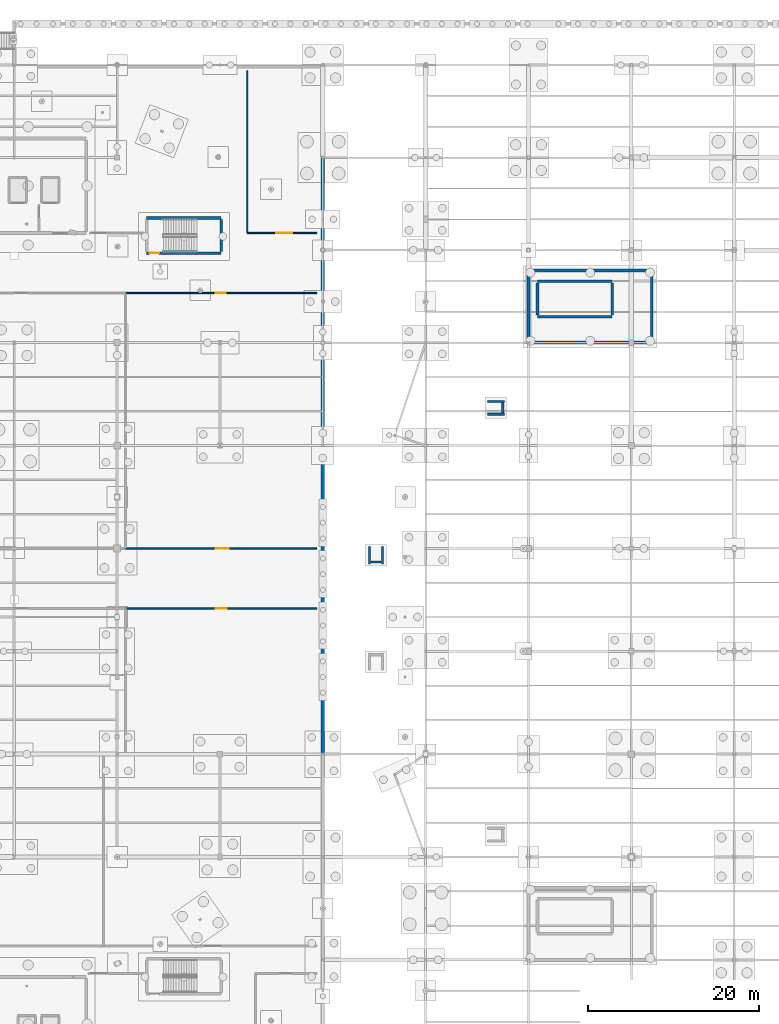
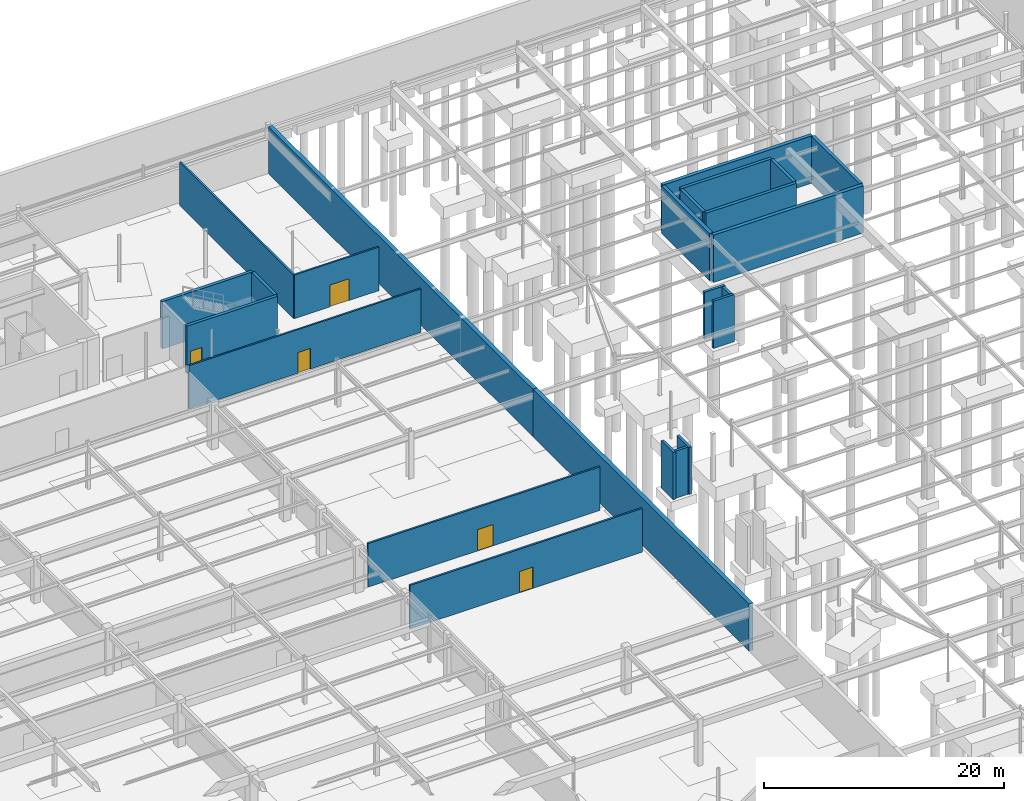
# One storey, part 125 of 136: 24 walls, 5 doors, 5 openings.
"""IFC4 building model written with IfcOpenShell, lengths in metres."""

from ifc_helpers import new_model, si_unit, direction, frame, frame_2d, origin, place, context, subcontext, project, spatial, rectangle, extrude, material, layer, layer_set, type_object, element, fill, save


model = new_model("IFC4")

# Units and contexts
model_context = context("Model", 3, precision=1e-05, world=origin(), true_north=direction((0.0, 1.0)))
body_context = subcontext(model_context, "Body", "Model", "MODEL_VIEW")
ifc_project = project(units=[si_unit("LENGTHUNIT", "METRE"), si_unit("AREAUNIT", "SQUARE_METRE"), si_unit("VOLUMEUNIT", "CUBIC_METRE"), si_unit("PLANEANGLEUNIT", "RADIAN"), si_unit("MASSUNIT", "GRAM", prefix="KILO")], contexts=[model_context])

# Site, building, storey
site_placement = place(None, origin())
site = spatial("IfcSite", under=ifc_project, at=site_placement, CompositionType="ELEMENT")
building_placement = place(site_placement, origin())
building = spatial("IfcBuilding", under=site, at=building_placement, Name="Tarnwether General Hospital", CompositionType="ELEMENT")
storey_placement = place(building_placement, frame((0.0, 0.0, -4.800048828125)))
storey = spatial("IfcBuildingStorey", under=building, at=storey_placement, Name="LG", CompositionType="ELEMENT", Elevation=-4.800048828125)

# Wall, opening, door
ifc_material_1 = material(Name="Gypsum plasterboard")
ifc_layer_1 = layer(ifc_material_1, 0.159912109375)
ifc_layer_set_1 = layer_set([ifc_layer_1], Name="Gypsum plasterboard")
wall_type_1 = type_object("IfcWallType", Name="WL-PT160", PredefinedType="PARTITIONING", material=ifc_layer_set_1)
wall_1_placement = place(storey_placement, frame((108.986083984375, 99.39990234375, 0.0), z_axis=(0.0, 0.0, 1.0), x_axis=(1.0, 0.0, 0.0)))
wall_1 = element("IfcWall", 1, at=wall_1_placement, inside=storey, type_object=wall_type_1, Name="Interior Partition PT-LG-0047", PredefinedType="PARTITIONING", context=body_context, shape_type="SweptSolid", body=[
    extrude(rectangle(XDim=22.31396484375, YDim=0.159912109375, at=frame_2d((11.156982421875, 0.0))), origin(), (0.0, 0.0, 1.0), 4.429931640625),
])
opening_1_placement = place(wall_1_placement, frame((10.507080078125, 0.0, 0.0)))
opening_1 = element("IfcOpeningElement", 2, at=opening_1_placement, cuts=wall_1, Name="Opening D-06", PredefinedType="OPENING", context=body_context, shape_type="SweptSolid", body=[
    extrude(rectangle(XDim=1.159912109375, YDim=2.10009765625, at=frame_2d((0.580078125, 1.050048828125))), frame((0.0, 0.08984375, 0.0), z_axis=(0.0, -1.0, 0.0), x_axis=(1.0, 0.0, 0.0)), (0.0, 0.0, 1.0), 0.179931640625),
])
ifc_material_2 = material(Name="Anodised aluminium", Category="aluminium")
door_type_1 = type_object("IfcDoorType", Name="DR-IN06", OperationType="NOTDEFINED", PredefinedType="DOOR", material=ifc_material_2)
door_1_placement = place(opening_1_placement, origin())
door_1 = element("IfcDoor", 3, at=door_1_placement, inside=storey, type_object=door_type_1, Name="Interior Door DR-LG-0027", OperationType="SINGLE_SWING_LEFT", OverallHeight=2.10009765625, OverallWidth=1.159912109375, PredefinedType="DOOR", context=body_context, shape_type="SweptSolid", body=[
    extrude(rectangle(XDim=1.159912109375, YDim=2.10009765625, at=frame_2d((0.580078125, 1.050048828125))), frame((0.0, 0.02490234375, 0.0), z_axis=(0.0, -1.0, 0.0), x_axis=(1.0, 0.0, 0.0)), (0.0, 0.0, 1.0), 0.050048828125),
])
fill(opening_1, door_1)

# Wall
wall_2_placement = place(storey_placement, frame((123.18603515625, 106.39990234375, 0.0), z_axis=(0.0, 0.0, 1.0), x_axis=(0.0, 1.0, 0.0)))
element("IfcWall", 4, at=wall_2_placement, inside=storey, type_object=wall_type_1, Name="Interior Partition PT-LG-0051", PredefinedType="PARTITIONING", context=body_context, shape_type="SweptSolid", body=[
    extrude(rectangle(XDim=18.900146484375, YDim=0.159912109375, at=frame_2d((9.4501953125, 0.0))), origin(), (0.0, 0.0, 1.0), 4.429931640625),
])

# Wall, opening, door
wall_3_placement = place(storey_placement, frame((123.18603515625, 106.39990234375, 0.0), z_axis=(0.0, 0.0, 1.0), x_axis=(1.0, 0.0, 0.0)))
wall_3 = element("IfcWall", 5, at=wall_3_placement, inside=storey, type_object=wall_type_1, Name="Interior Partition PT-LG-0052", PredefinedType="PARTITIONING", context=body_context, shape_type="SweptSolid", body=[
    extrude(rectangle(XDim=8.114013671875, YDim=0.159912109375, at=frame_2d((4.05712890625, 0.0))), origin(), (0.0, 0.0, 1.0), 4.429931640625),
])
opening_2_placement = place(wall_3_placement, frame((3.406982421875, 0.0, 0.0)))
opening_2 = element("IfcOpeningElement", 6, at=opening_2_placement, cuts=wall_3, Name="Opening FD-03", PredefinedType="OPENING", context=body_context, shape_type="SweptSolid", body=[
    extrude(rectangle(XDim=1.840087890625, YDim=2.219970703125, at=frame_2d((0.919921875, 1.10986328125))), frame((0.0, 0.08984375, 0.0), z_axis=(0.0, -1.0, 0.0), x_axis=(1.0, 0.0, 0.0)), (0.0, 0.0, 1.0), 0.179931640625),
])
ifc_material_3 = material(Name="Anodised aluminium", Category="aluminium")
door_type_2 = type_object("IfcDoorType", Name="DR-FD03", OperationType="NOTDEFINED", PredefinedType="DOOR", material=ifc_material_3)
door_2_placement = place(opening_2_placement, origin())
door_2 = element("IfcDoor", 7, at=door_2_placement, inside=storey, type_object=door_type_2, Name="Interior Door DR-LG-0030", OperationType="DOUBLE_DOOR_SINGLE_SWING", OverallHeight=2.219970703125, OverallWidth=1.840087890625, PredefinedType="DOOR", context=body_context, shape_type="SweptSolid", body=[
    extrude(rectangle(XDim=1.840087890625, YDim=2.219970703125, at=frame_2d((0.919921875, 1.10986328125))), frame((0.0, 0.02490234375, 0.0), z_axis=(0.0, -1.0, 0.0), x_axis=(1.0, 0.0, 0.0)), (0.0, 0.0, 1.0), 0.050048828125),
])
fill(opening_2, door_2)

ifc_material_4 = material(Name="Gypsum plasterboard")
ifc_layer_2 = layer(ifc_material_4, 0.179931640625)
ifc_layer_set_2 = layer_set([ifc_layer_2], Name="Gypsum plasterboard")
wall_type_2 = type_object("IfcWallType", Name="WL-PT180", PredefinedType="PARTITIONING", material=ifc_layer_set_2)
wall_4_placement = place(storey_placement, frame((108.986083984375, 62.60009765625, 0.0), z_axis=(0.0, 0.0, 1.0), x_axis=(1.0, 0.0, 0.0)))
wall_4 = element("IfcWall", 8, at=wall_4_placement, inside=storey, type_object=wall_type_2, Name="Interior Partition PT-LG-0025", PredefinedType="PARTITIONING", context=body_context, shape_type="SweptSolid", body=[
    extrude(rectangle(XDim=22.31396484375, YDim=0.179931640625, at=frame_2d((11.156982421875, 0.0))), origin(), (0.0, 0.0, 1.0), 4.429931640625),
])
opening_3_placement = place(wall_4_placement, frame((10.507080078125, 0.0, 0.0)))
opening_3 = element("IfcOpeningElement", 9, at=opening_3_placement, cuts=wall_4, Name="Opening D-03", PredefinedType="OPENING", context=body_context, shape_type="SweptSolid", body=[
    extrude(rectangle(XDim=1.300048828125, YDim=2.159912109375, at=frame_2d((0.64990234375, 1.080078125))), frame((0.0, 0.10009765625, 0.0), z_axis=(0.0, -1.0, 0.0), x_axis=(1.0, 0.0, 0.0)), (0.0, 0.0, 1.0), 0.199951171875),
])
ifc_material_5 = material(Name="Anodised aluminium", Category="aluminium")
door_type_3 = type_object("IfcDoorType", Name="DR-IN03", OperationType="NOTDEFINED", PredefinedType="DOOR", material=ifc_material_5)
door_3_placement = place(opening_3_placement, origin())
door_3 = element("IfcDoor", 10, at=door_3_placement, inside=storey, type_object=door_type_3, Name="Interior Door DR-LG-0014", OperationType="SINGLE_SWING_RIGHT", OverallHeight=2.159912109375, OverallWidth=1.300048828125, PredefinedType="DOOR", context=body_context, shape_type="SweptSolid", body=[
    extrude(rectangle(XDim=1.300048828125, YDim=2.159912109375, at=frame_2d((0.64990234375, 1.080078125))), frame((0.0, 0.02490234375, 0.0), z_axis=(0.0, -1.0, 0.0), x_axis=(1.0, 0.0, 0.0)), (0.0, 0.0, 1.0), 0.050048828125),
])
fill(opening_3, door_3)

wall_5_placement = place(storey_placement, frame((108.986083984375, 69.60009765625, 0.0), z_axis=(0.0, 0.0, 1.0), x_axis=(1.0, 0.0, 0.0)))
wall_5 = element("IfcWall", 11, at=wall_5_placement, inside=storey, type_object=wall_type_2, Name="Interior Partition PT-LG-0030", PredefinedType="PARTITIONING", context=body_context, shape_type="SweptSolid", body=[
    extrude(rectangle(XDim=22.31396484375, YDim=0.179931640625, at=frame_2d((11.156982421875, 0.0))), origin(), (0.0, 0.0, 1.0), 4.429931640625),
])
opening_4_placement = place(wall_5_placement, frame((10.507080078125, 0.0, 0.0)))
opening_4 = element("IfcOpeningElement", 12, at=opening_4_placement, cuts=wall_5, Name="Opening FD-02", PredefinedType="OPENING", context=body_context, shape_type="SweptSolid", body=[
    extrude(rectangle(XDim=1.52001953125, YDim=2.159912109375, at=frame_2d((0.760009765625, 1.080078125))), frame((0.0, 0.10009765625, 0.0), z_axis=(0.0, -1.0, 0.0), x_axis=(1.0, 0.0, 0.0)), (0.0, 0.0, 1.0), 0.199951171875),
])
ifc_material_6 = material(Name="Anodised aluminium", Category="aluminium")
door_type_4 = type_object("IfcDoorType", Name="DR-FD02", OperationType="NOTDEFINED", PredefinedType="DOOR", material=ifc_material_6)
door_4_placement = place(opening_4_placement, origin())
door_4 = element("IfcDoor", 13, at=door_4_placement, inside=storey, type_object=door_type_4, Name="Interior Door DR-LG-0017", OperationType="SINGLE_SWING_LEFT", OverallHeight=2.159912109375, OverallWidth=1.52001953125, PredefinedType="DOOR", context=body_context, shape_type="SweptSolid", body=[
    extrude(rectangle(XDim=1.52001953125, YDim=2.159912109375, at=frame_2d((0.760009765625, 1.080078125))), frame((0.0, 0.02490234375, 0.0), z_axis=(0.0, -1.0, 0.0), x_axis=(1.0, 0.0, 0.0)), (0.0, 0.0, 1.0), 0.050048828125),
])
fill(opening_4, door_4)

# Walls
ifc_material_7 = material(Name="Concrete 40 MPa", Category="concrete")
ifc_layer_3 = layer(ifc_material_7, 0.39990234375)
ifc_layer_set_3 = layer_set([ifc_layer_3], Name="Concrete 40 MPa")
wall_type_3 = type_object("IfcWallType", Name="WL-RW400", PredefinedType="USERDEFINED", material=ifc_layer_set_3)
wall_6_placement = place(storey_placement, frame((132.0, 81.60009765625, 0.0), z_axis=(0.0, 0.0, 1.0), x_axis=(0.0, 1.0, 0.0)))
element("IfcWall", 14, at=wall_6_placement, inside=storey, type_object=wall_type_3, Name="Scarp Retaining Wall RW-EAST-N", ObjectType="RETAINING", PredefinedType="USERDEFINED", context=body_context, shape_type="SweptSolid", body=[
    extrude(rectangle(XDim=44.0, YDim=0.39990234375, at=frame_2d((22.0, 0.0))), origin(), (0.0, 0.0, 1.0), 4.800048828125),
])
wall_7_placement = place(storey_placement, frame((132.0, 45.60009765625, 0.0), z_axis=(0.0, 0.0, 1.0), x_axis=(0.0, 1.0, 0.0)))
element("IfcWall", 15, at=wall_7_placement, inside=storey, type_object=wall_type_3, Name="Scarp Retaining Wall RW-EAST-C", ObjectType="RETAINING", PredefinedType="USERDEFINED", context=body_context, shape_type="SweptSolid", body=[
    extrude(rectangle(XDim=36.0, YDim=0.39990234375, at=frame_2d((18.0, 0.0))), origin(), (0.0, 0.0, 1.0), 4.800048828125),
])
ifc_material_8 = material(Name="Concrete 50 MPa", Category="concrete")
ifc_layer_4 = layer(ifc_material_8, 0.25)
ifc_layer_set_4 = layer_set([ifc_layer_4], Name="Concrete 50 MPa")
wall_type_4 = type_object("IfcWallType", Name="WL-SW250", PredefinedType="SHEAR", material=ifc_layer_set_4)
for number, where, z_axis, x_axis, name in (
    (16, (137.449951171875, 69.800048828125, 0.0), (0.0, 0.0, 1.0), (0.0, -1.0, 0.0), "Feature Stair Sub-Scarp Pier Wall ST-12 L"),
    (17, (138.949951171875, 69.800048828125, 0.0), (0.0, 0.0, 1.0), (0.0, -1.0, 0.0), "Feature Stair Sub-Scarp Pier Wall ST-12 R"),
):
    element("IfcWall", number, at=place(storey_placement, frame(where, z_axis=z_axis, x_axis=x_axis)), inside=storey, type_object=wall_type_4, Name=name, PredefinedType="SHEAR", context=body_context, shape_type="SweptSolid", body=[
        extrude(rectangle(XDim=2.0, YDim=0.25, at=frame_2d((1.0, 0.0))), origin(), (0.0, 0.0, 1.0), 4.800048828125),
    ])
wall_8_placement = place(storey_placement, frame((137.60009765625, 68.0, 0.0), z_axis=(0.0, 0.0, 1.0), x_axis=(1.0, 0.0, 0.0)))
element("IfcWall", 18, at=wall_8_placement, inside=storey, type_object=wall_type_4, Name="Feature Stair Sub-Scarp Pier Wall ST-12 M", PredefinedType="SHEAR", context=body_context, shape_type="SweptSolid", body=[
    extrude(rectangle(XDim=1.199951171875, YDim=0.25, at=frame_2d((0.60009765625, 0.0))), origin(), (0.0, 0.0, 1.0), 4.800048828125),
])
for number, where, z_axis, x_axis, name in (
    (19, (151.199951171875, 85.25, 0.0), (0.0, 0.0, 1.0), (1.0, 0.0, 0.0), "Feature Stair Sub-Scarp Pier Wall ST-14 L"),
    (20, (151.199951171875, 86.75, 0.0), (0.0, 0.0, 1.0), (1.0, 0.0, 0.0), "Feature Stair Sub-Scarp Pier Wall ST-14 R"),
):
    element("IfcWall", number, at=place(storey_placement, frame(where, z_axis=z_axis, x_axis=x_axis)), inside=storey, type_object=wall_type_4, Name=name, PredefinedType="SHEAR", context=body_context, shape_type="SweptSolid", body=[
        extrude(rectangle(XDim=2.0, YDim=0.25, at=frame_2d((1.0, 0.0))), origin(), (0.0, 0.0, 1.0), 4.800048828125),
    ])
wall_9_placement = place(storey_placement, frame((153.0, 85.39990234375, 0.0), z_axis=(0.0, 0.0, 1.0), x_axis=(0.0, 1.0, 0.0)))
element("IfcWall", 21, at=wall_9_placement, inside=storey, type_object=wall_type_4, Name="Feature Stair Sub-Scarp Pier Wall ST-14 M", PredefinedType="SHEAR", context=body_context, shape_type="SweptSolid", body=[
    extrude(rectangle(XDim=1.2001953125, YDim=0.25, at=frame_2d((0.60009765625, 0.0))), origin(), (0.0, 0.0, 1.0), 4.800048828125),
])
ifc_material_9 = material(Name="Concrete 50 MPa", Category="concrete")
ifc_layer_5 = layer(ifc_material_9, 0.300048828125)
ifc_layer_set_5 = layer_set([ifc_layer_5], Name="Concrete 50 MPa")
wall_type_5 = type_object("IfcWallType", Name="WL-SW300", PredefinedType="SHEAR", material=ifc_layer_set_5)
wall_10_placement = place(storey_placement, frame((170.39990234375, 101.800048828125, 0.0), z_axis=(0.0, 0.0, 1.0), x_axis=(0.0, -1.0, 0.0)))
element("IfcWall", 22, at=wall_10_placement, inside=storey, type_object=wall_type_5, Name="Core Shear Wall CWALL-K6-LG-E", PredefinedType="SHEAR", context=body_context, shape_type="SweptSolid", body=[
    extrude(rectangle(XDim=8.0, YDim=0.300048828125, at=frame_2d((4.0, 0.0))), origin(), (0.0, 0.0, 1.0), 4.800048828125),
])
for number, where, z_axis, x_axis, name in (
    (23, (157.050048828125, 96.64990234375, 0.0), (0.0, 0.0, 1.0), (1.0, 0.0, 0.0), "Stairwell Shear Wall STW-ST-06-LG-B"),
    (24, (165.75, 100.75, 0.0), (0.0, 0.0, 1.0), (-1.0, 0.0, 0.0), "Stairwell Shear Wall STW-ST-06-LG-N"),
):
    element("IfcWall", number, at=place(storey_placement, frame(where, z_axis=z_axis, x_axis=x_axis)), inside=storey, type_object=wall_type_5, Name=name, PredefinedType="SHEAR", context=body_context, shape_type="SweptSolid", body=[
        extrude(rectangle(XDim=8.699951171875, YDim=0.300048828125, at=frame_2d((4.35009765625, 0.0))), origin(), (0.0, 0.0, 1.0), 4.800048828125),
    ])
for number, where, z_axis, x_axis, name in (
    (25, (157.050048828125, 96.820068359375, 0.0), (0.0, 0.0, 1.0), (0.0, 1.0, 0.0), "Stairwell Shear Wall STW-ST-06-LG-L"),
    (26, (165.75, 96.820068359375, 0.0), (0.0, 0.0, 1.0), (0.0, 1.0, 0.0), "Stairwell Shear Wall STW-ST-06-LG-F"),
):
    element("IfcWall", number, at=place(storey_placement, frame(where, z_axis=z_axis, x_axis=x_axis)), inside=storey, type_object=wall_type_5, Name=name, PredefinedType="SHEAR", context=body_context, shape_type="SweptSolid", body=[
        extrude(rectangle(XDim=3.760009765625, YDim=0.300048828125, at=frame_2d((1.8798828125, 0.0))), origin(), (0.0, 0.0, 1.0), 4.800048828125),
    ])

# Wall, opening, door
wall_11_placement = place(storey_placement, frame((111.449951171875, 104.050048828125, 0.0), z_axis=(0.0, 0.0, 1.0), x_axis=(1.0, 0.0, 0.0)))
wall_11 = element("IfcWall", 27, at=wall_11_placement, inside=storey, type_object=wall_type_5, Name="Stairwell Shear Wall STW-ST-08-LG-B", PredefinedType="SHEAR", context=body_context, shape_type="SweptSolid", body=[
    extrude(rectangle(XDim=8.699951171875, YDim=0.300048828125, at=frame_2d((4.35009765625, 0.0))), origin(), (0.0, 0.0, 1.0), 4.800048828125),
])
opening_5_placement = place(wall_11_placement, frame((0.35009765625, 0.0, 0.0)))
opening_5 = element("IfcOpeningElement", 28, at=opening_5_placement, cuts=wall_11, Name="Opening FD-06", PredefinedType="OPENING", context=body_context, shape_type="SweptSolid", body=[
    extrude(rectangle(XDim=1.10009765625, YDim=2.14990234375, at=frame_2d((0.550048828125, 1.074951171875))), frame((0.0, 0.16015625, 0.0), z_axis=(0.0, -1.0, 0.0), x_axis=(1.0, 0.0, 0.0)), (0.0, 0.0, 1.0), 0.320068359375),
])
ifc_material_10 = material(Name="Anodised aluminium", Category="aluminium")
door_type_5 = type_object("IfcDoorType", Name="DR-FD06", OperationType="NOTDEFINED", PredefinedType="DOOR", material=ifc_material_10)
door_5_placement = place(opening_5_placement, origin())
door_5 = element("IfcDoor", 29, at=door_5_placement, inside=storey, type_object=door_type_5, Name="Stairwell ST-08 Safe-Path Fire Door LG", OperationType="SINGLE_SWING_RIGHT", OverallHeight=2.14990234375, OverallWidth=1.10009765625, PredefinedType="DOOR", context=body_context, shape_type="SweptSolid", body=[
    extrude(rectangle(XDim=1.10009765625, YDim=2.14990234375, at=frame_2d((0.550048828125, 1.074951171875))), frame((0.0, 0.02490234375, 0.0), z_axis=(0.0, -1.0, 0.0), x_axis=(1.0, 0.0, 0.0)), (0.0, 0.0, 1.0), 0.050048828125),
])
fill(opening_5, door_5)

# Walls
wall_12_placement = place(storey_placement, frame((120.14990234375, 108.14990234375, 0.0), z_axis=(0.0, 0.0, 1.0), x_axis=(-1.0, 0.0, 0.0)))
element("IfcWall", 30, at=wall_12_placement, inside=storey, type_object=wall_type_5, Name="Stairwell Shear Wall STW-ST-08-LG-N", PredefinedType="SHEAR", context=body_context, shape_type="SweptSolid", body=[
    extrude(rectangle(XDim=8.699951171875, YDim=0.300048828125, at=frame_2d((4.35009765625, 0.0))), origin(), (0.0, 0.0, 1.0), 4.800048828125),
])
wall_13_placement = place(storey_placement, frame((120.14990234375, 104.219970703125, 0.0), z_axis=(0.0, 0.0, 1.0), x_axis=(0.0, 1.0, 0.0)))
element("IfcWall", 31, at=wall_13_placement, inside=storey, type_object=wall_type_5, Name="Stairwell Shear Wall STW-ST-08-LG-F", PredefinedType="SHEAR", context=body_context, shape_type="SweptSolid", body=[
    extrude(rectangle(XDim=3.760009765625, YDim=0.300048828125, at=frame_2d((1.8798828125, 0.0))), origin(), (0.0, 0.0, 1.0), 4.800048828125),
])
ifc_material_11 = material(Name="Concrete 50 MPa", Category="concrete")
ifc_layer_6 = layer(ifc_material_11, 0.35009765625)
ifc_layer_set_6 = layer_set([ifc_layer_6], Name="Concrete 50 MPa")
wall_type_6 = type_object("IfcWallType", Name="WL-SW350", PredefinedType="SHEAR", material=ifc_layer_set_6)
for number, where, z_axis, x_axis, name in (
    (32, (156.0, 102.0, 0.0), (0.0, 0.0, 1.0), (1.0, 0.0, 0.0), "Core Shear Wall CWALL-K6-LG-N"),
    (33, (170.39990234375, 93.60009765625, 0.0), (0.0, 0.0, 1.0), (-1.0, 0.0, 0.0), "Core Shear Wall CWALL-K6-LG-S"),
):
    element("IfcWall", number, at=place(storey_placement, frame(where, z_axis=z_axis, x_axis=x_axis)), inside=storey, type_object=wall_type_6, Name=name, PredefinedType="SHEAR", context=body_context, shape_type="SweptSolid", body=[
        extrude(rectangle(XDim=14.39990234375, YDim=0.35009765625, at=frame_2d((7.199951171875, 0.0))), origin(), (0.0, 0.0, 1.0), 4.800048828125),
    ])
wall_14_placement = place(storey_placement, frame((156.0, 93.800048828125, 0.0), z_axis=(0.0, 0.0, 1.0), x_axis=(0.0, 1.0, 0.0)))
element("IfcWall", 34, at=wall_14_placement, inside=storey, type_object=wall_type_6, Name="Core Shear Wall CWALL-K6-LG-W", PredefinedType="SHEAR", context=body_context, shape_type="SweptSolid", body=[
    extrude(rectangle(XDim=8.0, YDim=0.35009765625, at=frame_2d((4.0, 0.0))), origin(), (0.0, 0.0, 1.0), 4.800048828125),
])

save(model, "model.ifc")
